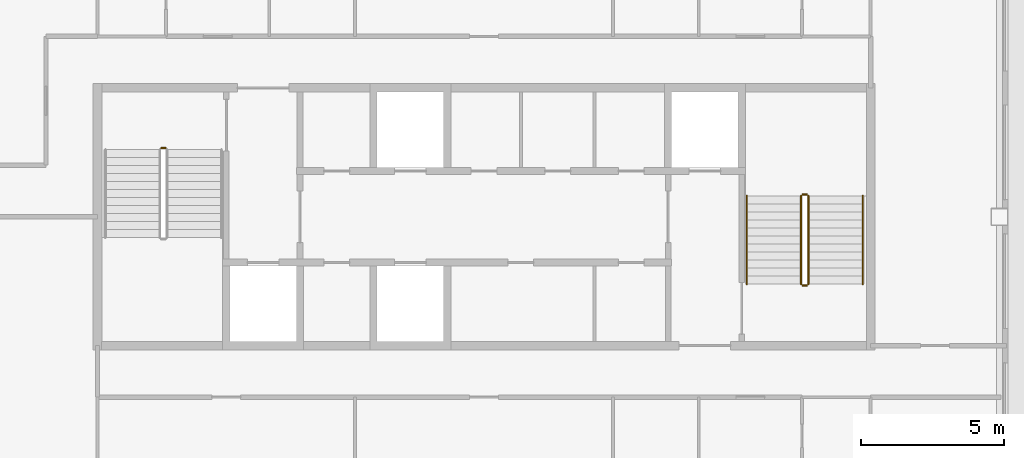
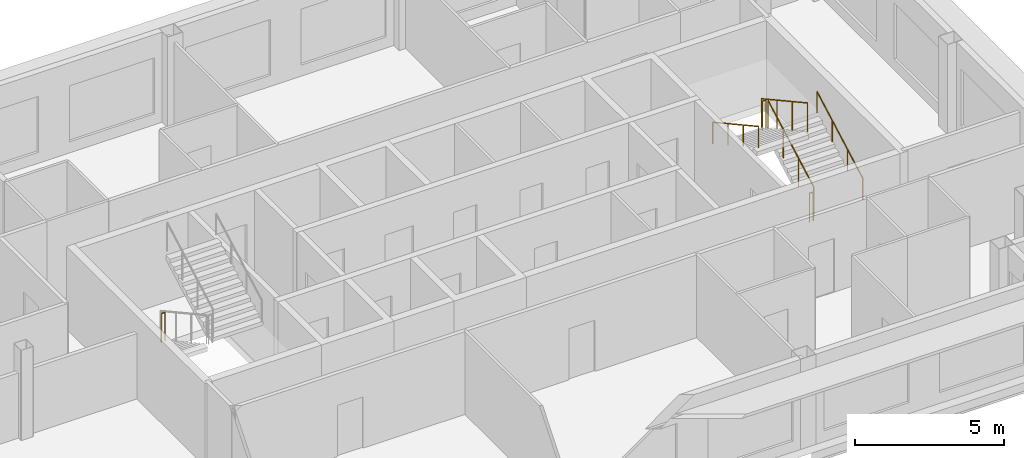
# One storey, part 11 of 11: 7 railings.
"""IFC4 building model written with IfcOpenShell, lengths in metres."""

from ifc_helpers import new_model, si_unit, direction, frame, origin, origin_2d, place, context, subcontext, project, spatial, circle, extrude, material, type_object, element, save


model = new_model("IFC4")

# Units and contexts
model_context = context("Model", 3, precision=1e-05, world=origin(), true_north=direction((0.0, 1.0)))
body_context = subcontext(model_context, "Body", "Model", "MODEL_VIEW")
ifc_project = project(units=[si_unit("LENGTHUNIT", "METRE"), si_unit("AREAUNIT", "SQUARE_METRE"), si_unit("VOLUMEUNIT", "CUBIC_METRE"), si_unit("PLANEANGLEUNIT", "RADIAN"), si_unit("MASSUNIT", "GRAM", prefix="KILO")], contexts=[model_context])

# Site, building, storey
site_placement = place(None, origin())
site = spatial("IfcSite", under=ifc_project, at=site_placement, CompositionType="ELEMENT")
building_placement = place(site_placement, origin())
building = spatial("IfcBuilding", under=site, at=building_placement, Name="Caravel Reach Hotel and Residences", CompositionType="ELEMENT")
storey_placement = place(building_placement, frame((0.0, 0.0, 260.10009765625)))
storey = spatial("IfcBuildingStorey", under=building, at=storey_placement, Name="L66", CompositionType="ELEMENT", Elevation=260.10009765625)

# Railings
ifc_material_1 = material(Name="Steel balustrade with glass infill", Category="steel")
railing_type_1 = type_object("IfcRailingType", Name="Guard 1200", PredefinedType="GUARDRAIL", material=ifc_material_1)
railing_1_placement = place(storey_placement, frame((20.22509765625, 29.39990234375, 0.0)))
element("IfcRailing", 1, at=railing_1_placement, inside=storey, type_object=railing_type_1, Name="L66 ST-A stair guard 4", PredefinedType="GUARDRAIL", context=body_context, shape_type="SweptSolid", body=[
    extrude(circle(Radius=0.02392578125, at=origin_2d()), frame((0.0, 0.0, 1.17578125), z_axis=(1.0, 0.0, 0.0), x_axis=(0.0, 1.0, 0.0)), (0.0, 0.0, 1.0), 0.14990234375),
    extrude(circle(Radius=0.02099609375, at=origin_2d()), origin(), (0.0, 0.0, 1.0), 1.15185546875),
    extrude(circle(Radius=0.02099609375, at=origin_2d()), frame((0.14990234375, 0.0, 0.0)), (0.0, 0.0, 1.0), 1.15185546875),
])
railing_2_placement = place(storey_placement, frame((42.824951171875, 24.64990234375, 0.154052734375)))
element("IfcRailing", 2, at=railing_2_placement, inside=storey, type_object=railing_type_1, Name="L66 ST-B stair guard 1", PredefinedType="GUARDRAIL", context=body_context, shape_type="SweptSolid", body=[
    extrude(circle(Radius=0.02392578125, at=origin_2d()), frame((0.0, 0.0, 1.17578125), z_axis=(0.0, 0.876004717809, 0.482302534076), x_axis=(-1.0, 0.0, 0.0)), (0.0, 0.0, 1.0), 3.51611328125),
    extrude(circle(Radius=0.02099609375, at=origin_2d()), origin(), (0.0, 0.0, 1.0), 1.15185546875),
    extrude(circle(Radius=0.02099609375, at=origin_2d()), frame((0.0, 1.026611328125, 0.565185546875)), (0.0, 0.0, 1.0), 1.15185546875),
    extrude(circle(Radius=0.02099609375, at=origin_2d()), frame((0.0, 2.053466796875, 1.130615234375)), (0.0, 0.0, 1.0), 1.15185546875),
    extrude(circle(Radius=0.02099609375, at=origin_2d()), frame((0.0, 3.080078125, 1.69580078125)), (0.0, 0.0, 1.0), 1.15185546875),
])
railing_3_placement = place(storey_placement, frame((42.77490234375, 27.780029296875, 1.849853515625)))
element("IfcRailing", 3, at=railing_3_placement, inside=storey, type_object=railing_type_1, Name="L66 ST-B stair guard 2", PredefinedType="GUARDRAIL", context=body_context, shape_type="SweptSolid", body=[
    extrude(circle(Radius=0.02392578125, at=origin_2d()), frame((0.0, 0.0, 1.17578125), z_axis=(-1.0, 0.0, 0.0), x_axis=(0.0, -1.0, 0.0)), (0.0, 0.0, 1.0), 0.14990234375),
    extrude(circle(Radius=0.02099609375, at=origin_2d()), origin(), (0.0, 0.0, 1.0), 1.15185546875),
    extrude(circle(Radius=0.02099609375, at=origin_2d()), frame((-0.14990234375, 0.0, 0.0)), (0.0, 0.0, 1.0), 1.15185546875),
])
railing_4_placement = place(storey_placement, frame((42.574951171875, 27.72998046875, 2.004150390625)))
element("IfcRailing", 4, at=railing_4_placement, inside=storey, type_object=railing_type_1, Name="L66 ST-B stair guard 3", PredefinedType="GUARDRAIL", context=body_context, shape_type="SweptSolid", body=[
    extrude(circle(Radius=0.02392578125, at=origin_2d()), frame((0.0, 0.0, 1.17578125), z_axis=(0.0, -0.876004717809, 0.482302534076), x_axis=(1.0, 0.0, 0.0)), (0.0, 0.0, 1.0), 3.51611328125),
    extrude(circle(Radius=0.02099609375, at=origin_2d()), origin(), (0.0, 0.0, 1.0), 1.15185546875),
    extrude(circle(Radius=0.02099609375, at=origin_2d()), frame((0.0, -1.026611328125, 0.565185546875)), (0.0, 0.0, 1.0), 1.15185546875),
    extrude(circle(Radius=0.02099609375, at=origin_2d()), frame((0.0, -2.053466796875, 1.130615234375)), (0.0, 0.0, 1.0), 1.15185546875),
    extrude(circle(Radius=0.02099609375, at=origin_2d()), frame((0.0, -3.080078125, 1.69580078125)), (0.0, 0.0, 1.0), 1.15185546875),
])
railing_5_placement = place(storey_placement, frame((42.77490234375, 24.60009765625, 0.0)))
element("IfcRailing", 5, at=railing_5_placement, inside=storey, type_object=railing_type_1, Name="L66 ST-B stair guard 4", PredefinedType="GUARDRAIL", context=body_context, shape_type="SweptSolid", body=[
    extrude(circle(Radius=0.02392578125, at=origin_2d()), frame((0.0, 0.0, 1.17578125), z_axis=(-1.0, 0.0, 0.0), x_axis=(0.0, -1.0, 0.0)), (0.0, 0.0, 1.0), 0.14990234375),
    extrude(circle(Radius=0.02099609375, at=origin_2d()), origin(), (0.0, 0.0, 1.0), 1.15185546875),
    extrude(circle(Radius=0.02099609375, at=origin_2d()), frame((-0.14990234375, 0.0, 0.0)), (0.0, 0.0, 1.0), 1.15185546875),
])
ifc_material_2 = material(Name="Stainless steel handrail", Category="steel")
railing_type_2 = type_object("IfcRailingType", Name="Handrail 900", PredefinedType="HANDRAIL", material=ifc_material_2)
railing_6_placement = place(storey_placement, frame((44.72509765625, 24.64990234375, 0.154052734375)))
element("IfcRailing", 6, at=railing_6_placement, inside=storey, type_object=railing_type_2, Name="L66 ST-B stair handrail 1", PredefinedType="HANDRAIL", context=body_context, shape_type="SweptSolid", body=[
    extrude(circle(Radius=0.02392578125, at=origin_2d()), frame((0.0, 0.0, 0.8759765625), z_axis=(0.0, 0.876004717809, 0.482302534076), x_axis=(-1.0, 0.0, 0.0)), (0.0, 0.0, 1.0), 3.51611328125),
    extrude(circle(Radius=0.02099609375, at=origin_2d()), origin(), (0.0, 0.0, 1.0), 0.851806640625),
    extrude(circle(Radius=0.02099609375, at=origin_2d()), frame((0.0, 1.026611328125, 0.565185546875)), (0.0, 0.0, 1.0), 0.851806640625),
    extrude(circle(Radius=0.02099609375, at=origin_2d()), frame((0.0, 2.053466796875, 1.130615234375)), (0.0, 0.0, 1.0), 0.851806640625),
    extrude(circle(Radius=0.02099609375, at=origin_2d()), frame((0.0, 3.080078125, 1.69580078125)), (0.0, 0.0, 1.0), 0.851806640625),
])
railing_7_placement = place(storey_placement, frame((40.675048828125, 27.72998046875, 2.004150390625)))
element("IfcRailing", 7, at=railing_7_placement, inside=storey, type_object=railing_type_2, Name="L66 ST-B stair handrail 2", PredefinedType="HANDRAIL", context=body_context, shape_type="SweptSolid", body=[
    extrude(circle(Radius=0.02392578125, at=origin_2d()), frame((0.0, 0.0, 0.8759765625), z_axis=(0.0, -0.876004717809, 0.482302534076), x_axis=(1.0, 0.0, 0.0)), (0.0, 0.0, 1.0), 3.51611328125),
    extrude(circle(Radius=0.02099609375, at=origin_2d()), origin(), (0.0, 0.0, 1.0), 0.851806640625),
    extrude(circle(Radius=0.02099609375, at=origin_2d()), frame((0.0, -1.026611328125, 0.565185546875)), (0.0, 0.0, 1.0), 0.851806640625),
    extrude(circle(Radius=0.02099609375, at=origin_2d()), frame((0.0, -2.053466796875, 1.130615234375)), (0.0, 0.0, 1.0), 0.851806640625),
    extrude(circle(Radius=0.02099609375, at=origin_2d()), frame((0.0, -3.080078125, 1.69580078125)), (0.0, 0.0, 1.0), 0.851806640625),
])

save(model, "model.ifc")
